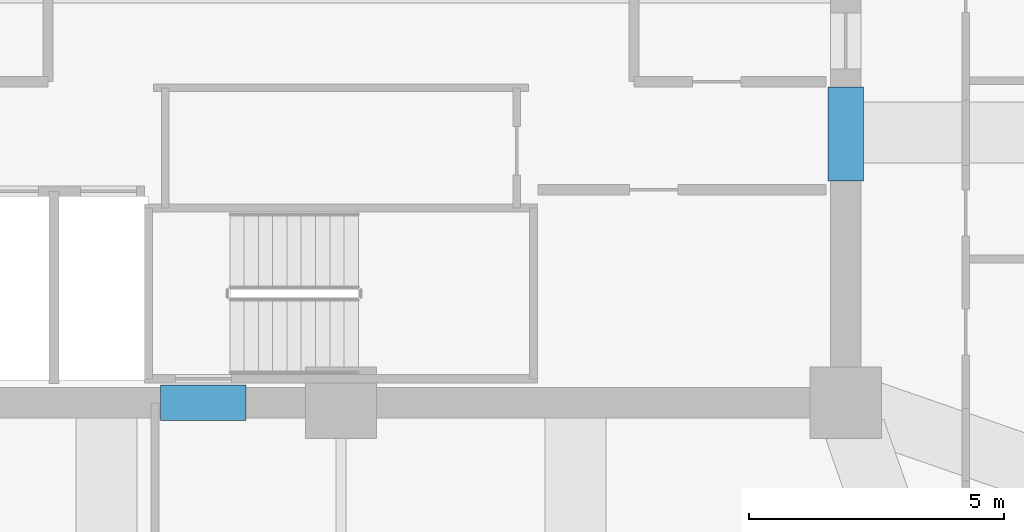
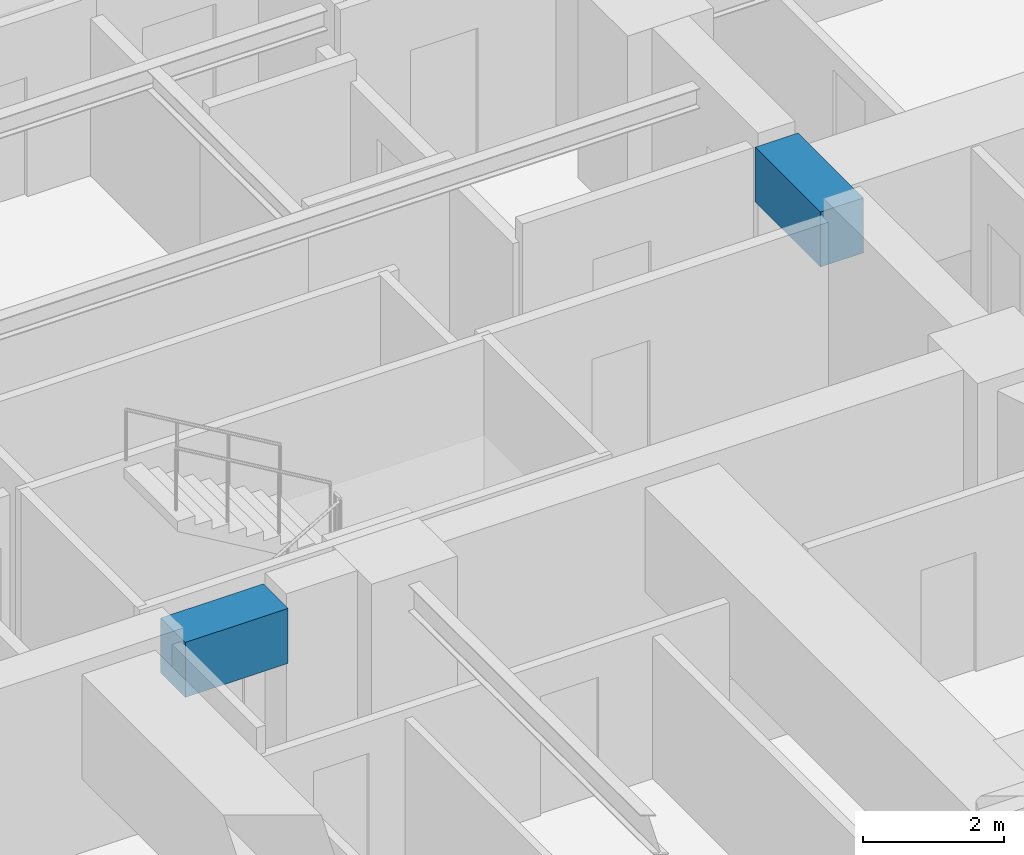
# One storey, part 8 of 34: 2 beams.
"""IFC4 building model written with IfcOpenShell, lengths in metres."""

import ifcopenshell
import ifcopenshell.guid

model = None  # the IFC model being written
_history = None  # IfcOwnerHistory: only IFC2X3 demands one
_inside = {}  # id of a spatial element -> (the spatial element, [elements in it])
_under = {}  # id of a project, library or spatial element -> (it, [spatial elements below it])
_declared = {}  # id of a project -> (the project, [libraries it declares])
_typed = {}  # id of a type object -> (the type object, [elements of that type])
_made_of = {}  # id of a material, layer set ... -> (it, [elements and type objects made of it])


def new_model(schema):
    """Start an empty IFC model of exactly this schema.

    Asked for "IFC4X3", IfcOpenShell would pick the latest addendum, in which some entities
    have other attributes; the version numbers below select the first issue.
    IFC2X3 requires an IfcOwnerHistory on every rooted entity: one is made here for all.
    """
    global model, _history
    if schema == "IFC4X3":
        model = ifcopenshell.file(schema_version=(4, 3, 0, 0))
    else:
        model = ifcopenshell.file(schema=schema)
    _inside.clear()
    _under.clear()
    _declared.clear()
    _typed.clear()
    _made_of.clear()
    _history = None
    if model.schema == "IFC2X3":
        org = make("IfcOrganization", Name="unknown")
        user = make(
            "IfcPersonAndOrganization",
            ThePerson=make("IfcPerson", FamilyName="unknown"),
            TheOrganization=org,
        )
        app = make(
            "IfcApplication",
            ApplicationDeveloper=org,
            Version="unknown",
            ApplicationFullName="unknown",
            ApplicationIdentifier="unknown",
        )
        _history = make(
            "IfcOwnerHistory",
            OwningUser=user,
            OwningApplication=app,
            ChangeAction="ADDED",
            CreationDate=0,
        )
    return model


def make(cls, **values):
    """One entity of the class cls with the attributes given. An attribute that is None is left unset."""
    return model.create_entity(
        cls, **{name: value for name, value in values.items() if value is not None}
    )


def rooted(cls, **values):
    """An entity with a GlobalId (a new one), such as an element, a storey or a relation."""
    return make(cls, GlobalId=ifcopenshell.guid.new(), OwnerHistory=_history, **values)


def si_unit(unit_type, name, prefix=None):
    """IfcSIUnit, for example si_unit("LENGTHUNIT", "METRE", prefix="MILLI")."""
    return make("IfcSIUnit", UnitType=unit_type, Prefix=prefix, Name=name)


def assignment(units):
    """IfcUnitAssignment: the units of a project."""
    return None if units is None else make("IfcUnitAssignment", Units=units)


def point(xyz):
    """IfcCartesianPoint."""
    return None if xyz is None else make("IfcCartesianPoint", Coordinates=xyz)


def direction(xyz):
    """IfcDirection."""
    return None if xyz is None else make("IfcDirection", DirectionRatios=xyz)


def frame(location, z_axis=None, x_axis=None):
    """IfcAxis2Placement3D, a coordinate frame: its origin and axes. An axis left out is left unset."""
    return make(
        "IfcAxis2Placement3D",
        Location=point(location),
        Axis=direction(z_axis),
        RefDirection=direction(x_axis),
    )


def frame_2d(location, x_axis=None):
    """IfcAxis2Placement2D, a coordinate frame in the plane: its origin and x axis."""
    return make(
        "IfcAxis2Placement2D", Location=point(location), RefDirection=direction(x_axis)
    )


def origin():
    """The frame at (0, 0, 0) with its axes left unset."""
    return frame((0.0, 0.0, 0.0))


def origin_2d():
    """The frame at (0, 0) in the plane with its x axis left unset."""
    return frame_2d((0.0, 0.0))


def place(relative_to, where):
    """IfcLocalPlacement: puts the frame where relative to a parent placement (None: the world)."""
    return make(
        "IfcLocalPlacement", PlacementRelTo=relative_to, RelativePlacement=where
    )


def context(
    kind, dimensions, precision=None, world=None, true_north=None, identifier=None
):
    """IfcGeometricRepresentationContext, for example the 3D "Model" context."""
    return make(
        "IfcGeometricRepresentationContext",
        ContextIdentifier=identifier,
        ContextType=kind,
        CoordinateSpaceDimension=dimensions,
        Precision=precision,
        WorldCoordinateSystem=world,
        TrueNorth=true_north,
    )


def subcontext(parent, identifier, kind, view, scale=None):
    """IfcGeometricRepresentationSubContext, for example "Body" below "Model"."""
    return make(
        "IfcGeometricRepresentationSubContext",
        ContextIdentifier=identifier,
        ContextType=kind,
        ParentContext=parent,
        TargetScale=scale,
        TargetView=view,
    )


def project(units=None, contexts=None):
    """IfcProject with its units and contexts."""
    return rooted(
        "IfcProject",
        Name="project",
        RepresentationContexts=contexts,
        UnitsInContext=assignment(units),
    )


def spatial(cls, under=None, at=None, **own):
    """A site, building, storey or space (cls), placed at a placement, below another one or the project."""
    s = rooted(cls, ObjectPlacement=at, **own)
    if under is not None:
        _under.setdefault(under.id(), (under, []))[1].append(s)
    return s


def profile(cls, at=None, kind="AREA", **sizes):
    """A parametric profile (cls). Its sizes go by their IFC names, for example OverallWidth=200.0."""
    return make(cls, ProfileType=kind, Position=at, **sizes)


def rectangle(**sizes):
    """IfcRectangleProfileDef."""
    return profile("IfcRectangleProfileDef", **sizes)


def extrude(swept, where, along, depth):
    """IfcExtrudedAreaSolid: the profile swept, set in the frame where, extruded along a direction by depth."""
    return make(
        "IfcExtrudedAreaSolid",
        SweptArea=swept,
        Position=where,
        ExtrudedDirection=direction(along),
        Depth=depth,
    )


def shape(context_of_items, identifier, shape_type, items):
    """IfcShapeRepresentation: the items that make up one representation, for example the "Body"."""
    return make(
        "IfcShapeRepresentation",
        ContextOfItems=context_of_items,
        RepresentationIdentifier=identifier,
        RepresentationType=shape_type,
        Items=items,
    )


def material(Name=None, Category=None):
    """IfcMaterial."""
    return make("IfcMaterial", Name=Name, Category=Category)


def material_profile(
    of_material, cross_section, Name=None, Category=None, Priority=None
):
    """IfcMaterialProfile: a cross section and its material."""
    return make(
        "IfcMaterialProfile",
        Name=Name,
        Material=of_material,
        Profile=cross_section,
        Priority=Priority,
        Category=Category,
    )


def profile_set(profiles, Name=None, composite=None):
    """IfcMaterialProfileSet."""
    return make(
        "IfcMaterialProfileSet",
        Name=Name,
        MaterialProfiles=profiles,
        CompositeProfile=composite,
    )


def made_of(thing, what):
    """Note that an element or type object is made of a material, layer set ...; save() writes the relation."""
    if what is not None:
        _made_of.setdefault(what.id(), (what, []))[1].append(thing)
    return thing


def type_object(cls, material=None, **own):
    """A type object (cls), such as IfcWallType, which elements share."""
    return made_of(rooted(cls, **own), material)


def element(
    cls,
    number,
    at=None,
    inside=None,
    cuts=None,
    type_object=None,
    material=None,
    context=None,
    identifier="Body",
    shape_type=None,
    held_by="IfcProductDefinitionShape",
    body=None,
    shapes=None,
    **own,
):
    """One element of the class cls, such as IfcWall. Its Tag is "e" and its number.

    at: its placement. inside: the storey or other place that contains it. cuts: it is an
    opening in that element (IfcRelVoidsElement). A single representation is given by context,
    identifier, shape_type and body (its items); several are given by shapes. held_by: the class
    of the entity that holds the representations. save() writes the other relations.
    """
    e = rooted(cls, Tag="e%d" % number, ObjectPlacement=at, **own)
    if body is not None:
        shapes = [shape(context, identifier, shape_type, body)]
    if shapes is not None:
        e.Representation = make(held_by, Representations=shapes)
    if inside is not None:
        _inside.setdefault(inside.id(), (inside, []))[1].append(e)
    if cuts is not None:
        rooted(
            "IfcRelVoidsElement", RelatingBuildingElement=cuts, RelatedOpeningElement=e
        )
    if type_object is not None:
        _typed.setdefault(type_object.id(), (type_object, []))[1].append(e)
    return made_of(e, material)


def aggregate(whole, parts):
    """IfcRelAggregates: a whole, such as a stair, and the parts it consists of."""
    return rooted("IfcRelAggregates", RelatingObject=whole, RelatedObjects=parts)


def save(model, path):
    """Write the relations noted so far, then the file.

    IfcRelAggregates (storeys below a building ...), IfcRelContainedInSpatialStructure (elements
    in a storey), IfcRelDefinesByType, IfcRelAssociatesMaterial and IfcRelDeclares: one each for
    every whole, place, type object, material and project.
    """
    for whole, parts in _under.values():
        aggregate(whole, parts)
    for where, things in _inside.values():
        rooted(
            "IfcRelContainedInSpatialStructure",
            RelatedElements=things,
            RelatingStructure=where,
        )
    for kind, things in _typed.values():
        rooted("IfcRelDefinesByType", RelatedObjects=things, RelatingType=kind)
    for what, things in _made_of.values():
        rooted("IfcRelAssociatesMaterial", RelatedObjects=things, RelatingMaterial=what)
    for by, libraries in _declared.values():
        rooted("IfcRelDeclares", RelatingContext=by, RelatedDefinitions=libraries)
    model.write(path)


model = new_model("IFC4")

# Units and contexts
model_context = context("Model", 3, precision=1e-05, world=origin(), true_north=direction((0.0, 1.0)))
body_context = subcontext(model_context, "Body", "Model", "MODEL_VIEW")
ifc_project = project(units=[si_unit("LENGTHUNIT", "METRE"), si_unit("AREAUNIT", "SQUARE_METRE"), si_unit("VOLUMEUNIT", "CUBIC_METRE"), si_unit("PLANEANGLEUNIT", "RADIAN"), si_unit("MASSUNIT", "GRAM", prefix="KILO")], contexts=[model_context])

# Site, building, storey
site_placement = place(None, origin())
site = spatial("IfcSite", under=ifc_project, at=site_placement, CompositionType="ELEMENT")
building_placement = place(site_placement, origin())
building = spatial("IfcBuilding", under=site, at=building_placement, Name="Kolvaren Belvedere", CompositionType="ELEMENT")
storey_placement = place(building_placement, frame((0.0, 0.0, 105.199951171875)))
storey = spatial("IfcBuildingStorey", under=building, at=storey_placement, Name="L30", CompositionType="ELEMENT", Elevation=105.199951171875)

# Beams
ifc_material = material(Name="Concrete C60/75", Category="concrete")
ifc_material_profile = material_profile(ifc_material, rectangle(XDim=0.699951171875, YDim=0.949951171875, at=origin_2d()), Name="RC 700X950")
ifc_profile_set = profile_set([ifc_material_profile], Name="Concrete C60/75")
beam_type = type_object("IfcBeamType", Name="BM-LINT-950", PredefinedType="LINTEL", material=ifc_profile_set)
beam_1_placement = place(storey_placement, frame((-3.5400390625, -9.89990234375, 2.60498046875), z_axis=(1.0, 0.0, 0.0), x_axis=(0.0, 1.0, 0.0)))
element("IfcBeam", 1, at=beam_1_placement, inside=storey, type_object=beam_type, Name="L30 South Core Coupling Lintel", PredefinedType="LINTEL", context=body_context, shape_type="SweptSolid", body=[
    extrude(rectangle(XDim=0.699951171875, YDim=0.949951171875, at=origin_2d()), origin(), (0.0, 0.0, 1.0), 1.679931640625),
])
beam_2_placement = place(storey_placement, frame((9.89990234375, -5.550048828125, 2.60498046875), z_axis=(0.0, 1.0, 0.0), x_axis=(-1.0, 0.0, 0.0)))
element("IfcBeam", 2, at=beam_2_placement, inside=storey, type_object=beam_type, Name="L30 East Core Coupling Lintel", PredefinedType="LINTEL", context=body_context, shape_type="SweptSolid", body=[
    extrude(rectangle(XDim=0.699951171875, YDim=0.949951171875, at=origin_2d()), origin(), (0.0, 0.0, 1.0), 1.85009765625),
])

save(model, "model.ifc")
